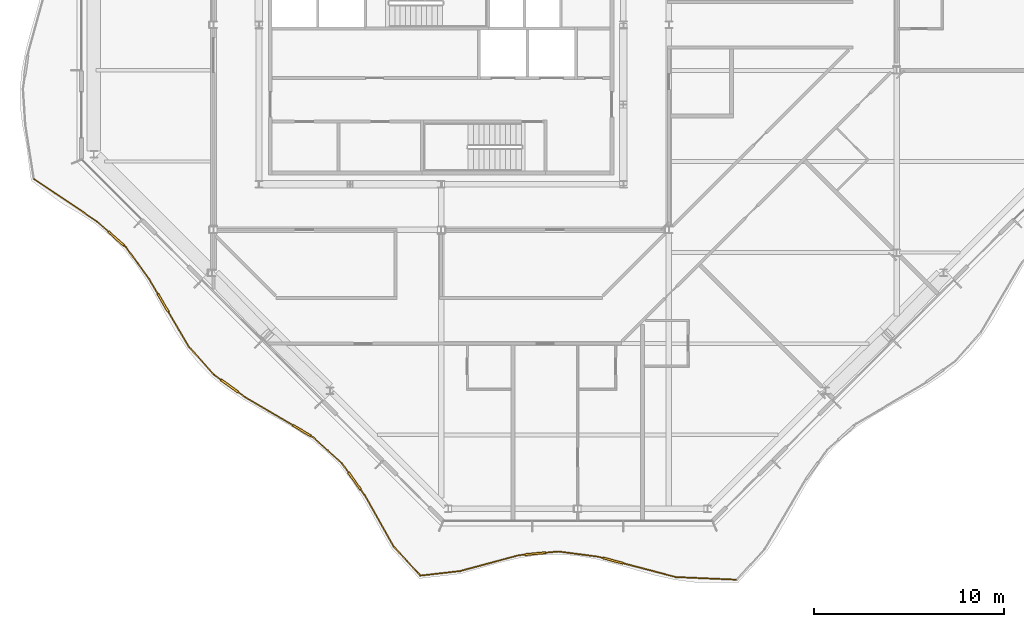
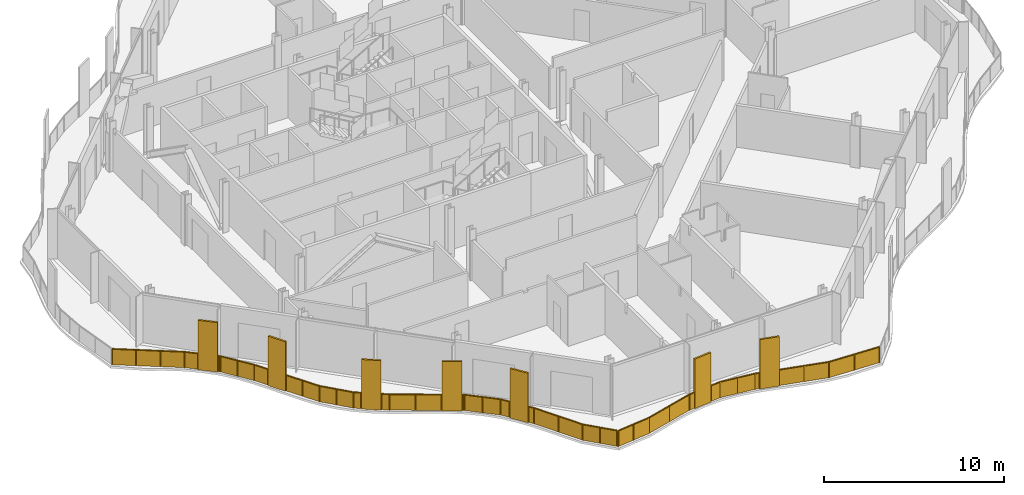
# One storey, part 13 of 17: 2 railings.
"""IFC4 building model written with IfcOpenShell, lengths in metres."""

import ifcopenshell
import ifcopenshell.guid

model = None  # the IFC model being written
_history = None  # IfcOwnerHistory: only IFC2X3 demands one
_inside = {}  # id of a spatial element -> (the spatial element, [elements in it])
_under = {}  # id of a project, library or spatial element -> (it, [spatial elements below it])
_declared = {}  # id of a project -> (the project, [libraries it declares])
_typed = {}  # id of a type object -> (the type object, [elements of that type])
_made_of = {}  # id of a material, layer set ... -> (it, [elements and type objects made of it])


def new_model(schema):
    """Start an empty IFC model of exactly this schema.

    Asked for "IFC4X3", IfcOpenShell would pick the latest addendum, in which some entities
    have other attributes; the version numbers below select the first issue.
    IFC2X3 requires an IfcOwnerHistory on every rooted entity: one is made here for all.
    """
    global model, _history
    if schema == "IFC4X3":
        model = ifcopenshell.file(schema_version=(4, 3, 0, 0))
    else:
        model = ifcopenshell.file(schema=schema)
    _inside.clear()
    _under.clear()
    _declared.clear()
    _typed.clear()
    _made_of.clear()
    _history = None
    if model.schema == "IFC2X3":
        org = make("IfcOrganization", Name="unknown")
        user = make(
            "IfcPersonAndOrganization",
            ThePerson=make("IfcPerson", FamilyName="unknown"),
            TheOrganization=org,
        )
        app = make(
            "IfcApplication",
            ApplicationDeveloper=org,
            Version="unknown",
            ApplicationFullName="unknown",
            ApplicationIdentifier="unknown",
        )
        _history = make(
            "IfcOwnerHistory",
            OwningUser=user,
            OwningApplication=app,
            ChangeAction="ADDED",
            CreationDate=0,
        )
    return model


def make(cls, **values):
    """One entity of the class cls with the attributes given. An attribute that is None is left unset."""
    return model.create_entity(
        cls, **{name: value for name, value in values.items() if value is not None}
    )


def rooted(cls, **values):
    """An entity with a GlobalId (a new one), such as an element, a storey or a relation."""
    return make(cls, GlobalId=ifcopenshell.guid.new(), OwnerHistory=_history, **values)


def si_unit(unit_type, name, prefix=None):
    """IfcSIUnit, for example si_unit("LENGTHUNIT", "METRE", prefix="MILLI")."""
    return make("IfcSIUnit", UnitType=unit_type, Prefix=prefix, Name=name)


def assignment(units):
    """IfcUnitAssignment: the units of a project."""
    return None if units is None else make("IfcUnitAssignment", Units=units)


def point(xyz):
    """IfcCartesianPoint."""
    return None if xyz is None else make("IfcCartesianPoint", Coordinates=xyz)


def direction(xyz):
    """IfcDirection."""
    return None if xyz is None else make("IfcDirection", DirectionRatios=xyz)


def frame(location, z_axis=None, x_axis=None):
    """IfcAxis2Placement3D, a coordinate frame: its origin and axes. An axis left out is left unset."""
    return make(
        "IfcAxis2Placement3D",
        Location=point(location),
        Axis=direction(z_axis),
        RefDirection=direction(x_axis),
    )


def frame_2d(location, x_axis=None):
    """IfcAxis2Placement2D, a coordinate frame in the plane: its origin and x axis."""
    return make(
        "IfcAxis2Placement2D", Location=point(location), RefDirection=direction(x_axis)
    )


def origin():
    """The frame at (0, 0, 0) with its axes left unset."""
    return frame((0.0, 0.0, 0.0))


def origin_2d():
    """The frame at (0, 0) in the plane with its x axis left unset."""
    return frame_2d((0.0, 0.0))


def place(relative_to, where):
    """IfcLocalPlacement: puts the frame where relative to a parent placement (None: the world)."""
    return make(
        "IfcLocalPlacement", PlacementRelTo=relative_to, RelativePlacement=where
    )


def context(
    kind, dimensions, precision=None, world=None, true_north=None, identifier=None
):
    """IfcGeometricRepresentationContext, for example the 3D "Model" context."""
    return make(
        "IfcGeometricRepresentationContext",
        ContextIdentifier=identifier,
        ContextType=kind,
        CoordinateSpaceDimension=dimensions,
        Precision=precision,
        WorldCoordinateSystem=world,
        TrueNorth=true_north,
    )


def subcontext(parent, identifier, kind, view, scale=None):
    """IfcGeometricRepresentationSubContext, for example "Body" below "Model"."""
    return make(
        "IfcGeometricRepresentationSubContext",
        ContextIdentifier=identifier,
        ContextType=kind,
        ParentContext=parent,
        TargetScale=scale,
        TargetView=view,
    )


def project(units=None, contexts=None):
    """IfcProject with its units and contexts."""
    return rooted(
        "IfcProject",
        Name="project",
        RepresentationContexts=contexts,
        UnitsInContext=assignment(units),
    )


def spatial(cls, under=None, at=None, **own):
    """A site, building, storey or space (cls), placed at a placement, below another one or the project."""
    s = rooted(cls, ObjectPlacement=at, **own)
    if under is not None:
        _under.setdefault(under.id(), (under, []))[1].append(s)
    return s


def polyline(points):
    """IfcPolyline through the points."""
    return make("IfcPolyline", Points=[point(p) for p in points])


def profile(cls, at=None, kind="AREA", **sizes):
    """A parametric profile (cls). Its sizes go by their IFC names, for example OverallWidth=200.0."""
    return make(cls, ProfileType=kind, Position=at, **sizes)


def rectangle(**sizes):
    """IfcRectangleProfileDef."""
    return profile("IfcRectangleProfileDef", **sizes)


def outline(outer, holes=None, kind="AREA"):
    """IfcArbitraryClosedProfileDef: a profile drawn as a closed curve; with holes, ...WithVoids."""
    if holes is None:
        return make("IfcArbitraryClosedProfileDef", ProfileType=kind, OuterCurve=outer)
    return make(
        "IfcArbitraryProfileDefWithVoids",
        ProfileType=kind,
        OuterCurve=outer,
        InnerCurves=holes,
    )


def extrude(swept, where, along, depth):
    """IfcExtrudedAreaSolid: the profile swept, set in the frame where, extruded along a direction by depth."""
    return make(
        "IfcExtrudedAreaSolid",
        SweptArea=swept,
        Position=where,
        ExtrudedDirection=direction(along),
        Depth=depth,
    )


def shape(context_of_items, identifier, shape_type, items):
    """IfcShapeRepresentation: the items that make up one representation, for example the "Body"."""
    return make(
        "IfcShapeRepresentation",
        ContextOfItems=context_of_items,
        RepresentationIdentifier=identifier,
        RepresentationType=shape_type,
        Items=items,
    )


def material(Name=None, Category=None):
    """IfcMaterial."""
    return make("IfcMaterial", Name=Name, Category=Category)


def made_of(thing, what):
    """Note that an element or type object is made of a material, layer set ...; save() writes the relation."""
    if what is not None:
        _made_of.setdefault(what.id(), (what, []))[1].append(thing)
    return thing


def type_object(cls, material=None, **own):
    """A type object (cls), such as IfcWallType, which elements share."""
    return made_of(rooted(cls, **own), material)


def element(
    cls,
    number,
    at=None,
    inside=None,
    cuts=None,
    type_object=None,
    material=None,
    context=None,
    identifier="Body",
    shape_type=None,
    held_by="IfcProductDefinitionShape",
    body=None,
    shapes=None,
    **own,
):
    """One element of the class cls, such as IfcWall. Its Tag is "e" and its number.

    at: its placement. inside: the storey or other place that contains it. cuts: it is an
    opening in that element (IfcRelVoidsElement). A single representation is given by context,
    identifier, shape_type and body (its items); several are given by shapes. held_by: the class
    of the entity that holds the representations. save() writes the other relations.
    """
    e = rooted(cls, Tag="e%d" % number, ObjectPlacement=at, **own)
    if body is not None:
        shapes = [shape(context, identifier, shape_type, body)]
    if shapes is not None:
        e.Representation = make(held_by, Representations=shapes)
    if inside is not None:
        _inside.setdefault(inside.id(), (inside, []))[1].append(e)
    if cuts is not None:
        rooted(
            "IfcRelVoidsElement", RelatingBuildingElement=cuts, RelatedOpeningElement=e
        )
    if type_object is not None:
        _typed.setdefault(type_object.id(), (type_object, []))[1].append(e)
    return made_of(e, material)


def aggregate(whole, parts):
    """IfcRelAggregates: a whole, such as a stair, and the parts it consists of."""
    return rooted("IfcRelAggregates", RelatingObject=whole, RelatedObjects=parts)


def save(model, path):
    """Write the relations noted so far, then the file.

    IfcRelAggregates (storeys below a building ...), IfcRelContainedInSpatialStructure (elements
    in a storey), IfcRelDefinesByType, IfcRelAssociatesMaterial and IfcRelDeclares: one each for
    every whole, place, type object, material and project.
    """
    for whole, parts in _under.values():
        aggregate(whole, parts)
    for where, things in _inside.values():
        rooted(
            "IfcRelContainedInSpatialStructure",
            RelatedElements=things,
            RelatingStructure=where,
        )
    for kind, things in _typed.values():
        rooted("IfcRelDefinesByType", RelatedObjects=things, RelatingType=kind)
    for what, things in _made_of.values():
        rooted("IfcRelAssociatesMaterial", RelatedObjects=things, RelatingMaterial=what)
    for by, libraries in _declared.values():
        rooted("IfcRelDeclares", RelatingContext=by, RelatedDefinitions=libraries)
    model.write(path)


model = new_model("IFC4")

# Units and contexts
model_context = context("Model", 3, precision=1e-05, world=origin(), true_north=direction((0.0, 1.0)))
body_context = subcontext(model_context, "Body", "Model", "MODEL_VIEW")
ifc_project = project(units=[si_unit("LENGTHUNIT", "METRE"), si_unit("AREAUNIT", "SQUARE_METRE"), si_unit("VOLUMEUNIT", "CUBIC_METRE"), si_unit("PLANEANGLEUNIT", "RADIAN"), si_unit("MASSUNIT", "GRAM", prefix="KILO")], contexts=[model_context])

# Site, building, storey
site_placement = place(None, origin())
site = spatial("IfcSite", under=ifc_project, at=site_placement, CompositionType="ELEMENT")
building_placement = place(site_placement, origin())
building = spatial("IfcBuilding", under=site, at=building_placement, Name="Cairn Pilgrim Tower", CompositionType="ELEMENT")
storey_placement = place(building_placement, frame((0.0, 0.0, 292.199951171875)))
storey = spatial("IfcBuildingStorey", under=building, at=storey_placement, Name="L75", CompositionType="ELEMENT", Elevation=292.199951171875)

# Railings
ifc_material = material(Name="Bronze anodised aluminium rail, posts and fin screens with laminated glass infill", Category="aluminium")
railing_type = type_object("IfcRailingType", Name="BALCONY GUARD WITH FIN SCREENS", PredefinedType="GUARDRAIL", material=ifc_material)
railing_1_placement = place(storey_placement, frame((6.10693359375, -26.62255859375, 0.0)))
element("IfcRailing", 1, at=railing_1_placement, inside=storey, type_object=railing_type, Name="Balcony guard BGF-1 with fin screens", PredefinedType="GUARDRAIL", context=body_context, shape_type="SweptSolid", body=[
    extrude(rectangle(XDim=0.050048828125, YDim=0.050048828125, at=origin_2d()), frame((0.0, 0.0, 1.0751953125), z_axis=(0.993439347497, 0.114360232794, 0.0), x_axis=(-0.114360232794, 0.993439347497, 0.0)), (0.0, 0.0, 1.0), 2.107177734375),
    extrude(rectangle(XDim=0.050048828125, YDim=0.050048828125, at=origin_2d()), frame((2.09326171875, 0.240966796875, 1.0751953125), z_axis=(0.965456359027, 0.260564807319, 0.0), x_axis=(-0.260564807319, 0.965456359027, 0.0)), (0.0, 0.0, 1.0), 3.19775390625),
    extrude(rectangle(XDim=1.10009765625, YDim=0.110107421875, at=origin_2d()), frame((6.055419921875, 1.156982421875, 0.0), z_axis=(0.0, 0.0, 1.0), x_axis=(0.995549238658, 0.094242842742, 0.0)), (0.0, 0.0, 1.0), 3.35009765625),
    extrude(rectangle(XDim=0.050048828125, YDim=0.050048828125, at=origin_2d()), frame((5.1806640625, 1.07421875, 1.0751953125), z_axis=(0.995549238658, 0.094242842742, 0.0), x_axis=(-0.094242842742, 0.995549238658, 0.0)), (0.0, 0.0, 1.0), 0.32861328125),
    extrude(rectangle(XDim=0.050048828125, YDim=0.050048828125, at=origin_2d()), frame((6.60302734375, 1.208740234375, 1.0751953125), z_axis=(0.995549238658, 0.094242842742, 0.0), x_axis=(-0.094242842742, 0.995549238658, 0.0)), (0.0, 0.0, 1.0), 0.6669921875),
    extrude(rectangle(XDim=0.050048828125, YDim=0.050048828125, at=origin_2d()), frame((7.26708984375, 1.271728515625, 1.0751953125), z_axis=(0.991645065833, -0.12899636975, 0.0), x_axis=(0.12899636975, 0.991645065833, 0.0)), (0.0, 0.0, 1.0), 2.100830078125),
    extrude(rectangle(XDim=1.10009765625, YDim=0.110107421875, at=origin_2d()), frame((10.148193359375, 0.791748046875, 0.0), z_axis=(0.0, 0.0, 1.0), x_axis=(0.967387318555, -0.25330174871, 0.0)), (0.0, 0.0, 1.0), 3.35009765625),
    extrude(rectangle(XDim=0.050048828125, YDim=0.050048828125, at=origin_2d()), frame((9.350341796875, 1.000732421875, 1.0751953125), z_axis=(0.967387318555, -0.25330174871, 0.0), x_axis=(0.25330174871, 0.967387318555, 0.0)), (0.0, 0.0, 1.0), 0.27490234375),
    extrude(rectangle(XDim=0.050048828125, YDim=0.050048828125, at=origin_2d()), frame((10.68017578125, 0.652587890625, 1.0751953125), z_axis=(0.967387318555, -0.25330174871, 0.0), x_axis=(0.25330174871, 0.967387318555, 0.0)), (0.0, 0.0, 1.0), 2.871826171875),
    extrude(rectangle(XDim=0.050048828125, YDim=0.050048828125, at=origin_2d()), frame((13.45849609375, -0.074951171875, 1.0751953125), z_axis=(0.99904590361, -0.043672445329, 0.0), x_axis=(0.043672445329, 0.99904590361, 0.0)), (0.0, 0.0, 1.0), 3.15283203125),
    extrude(rectangle(XDim=0.050048828125, YDim=0.050048828125, at=origin_2d()), origin(), (0.0, 0.0, 1.0), 1.050048828125),
    extrude(rectangle(XDim=0.050048828125, YDim=0.050048828125, at=origin_2d()), frame((1.046630859375, 0.12060546875, 0.0)), (0.0, 0.0, 1.0), 1.050048828125),
    extrude(rectangle(XDim=0.050048828125, YDim=0.050048828125, at=origin_2d()), frame((2.09326171875, 0.240966796875, 0.0)), (0.0, 0.0, 1.0), 1.050048828125),
    extrude(rectangle(XDim=0.050048828125, YDim=0.050048828125, at=origin_2d()), frame((3.636962890625, 0.65771484375, 0.0)), (0.0, 0.0, 1.0), 1.050048828125),
    extrude(rectangle(XDim=0.050048828125, YDim=0.050048828125, at=origin_2d()), frame((5.1806640625, 1.07421875, 0.0)), (0.0, 0.0, 1.0), 1.050048828125),
    extrude(rectangle(XDim=0.050048828125, YDim=0.050048828125, at=origin_2d()), frame((5.48291015625, 1.102783203125, 0.0)), (0.0, 0.0, 1.0), 1.050048828125),
    extrude(rectangle(XDim=0.050048828125, YDim=0.050048828125, at=origin_2d()), frame((6.6279296875, 1.211181640625, 0.0)), (0.0, 0.0, 1.0), 1.050048828125),
    extrude(rectangle(XDim=0.050048828125, YDim=0.050048828125, at=origin_2d()), frame((7.26708984375, 1.271728515625, 0.0)), (0.0, 0.0, 1.0), 1.050048828125),
    extrude(rectangle(XDim=0.050048828125, YDim=0.050048828125, at=origin_2d()), frame((8.30859375, 1.13623046875, 0.0)), (0.0, 0.0, 1.0), 1.050048828125),
    extrude(rectangle(XDim=0.050048828125, YDim=0.050048828125, at=origin_2d()), frame((9.350341796875, 1.000732421875, 0.0)), (0.0, 0.0, 1.0), 1.050048828125),
    extrude(rectangle(XDim=0.050048828125, YDim=0.050048828125, at=origin_2d()), frame((9.592041015625, 0.9375, 0.0)), (0.0, 0.0, 1.0), 1.050048828125),
    extrude(rectangle(XDim=0.050048828125, YDim=0.050048828125, at=origin_2d()), frame((10.70458984375, 0.646240234375, 0.0)), (0.0, 0.0, 1.0), 1.050048828125),
    extrude(rectangle(XDim=0.050048828125, YDim=0.050048828125, at=origin_2d()), frame((12.08154296875, 0.28564453125, 0.0)), (0.0, 0.0, 1.0), 1.050048828125),
    extrude(rectangle(XDim=0.050048828125, YDim=0.050048828125, at=origin_2d()), frame((13.45849609375, -0.074951171875, 0.0)), (0.0, 0.0, 1.0), 1.050048828125),
    extrude(rectangle(XDim=0.050048828125, YDim=0.050048828125, at=origin_2d()), frame((15.033447265625, -0.143798828125, 0.0)), (0.0, 0.0, 1.0), 1.050048828125),
    extrude(rectangle(XDim=0.050048828125, YDim=0.050048828125, at=origin_2d()), frame((16.6083984375, -0.212646484375, 0.0)), (0.0, 0.0, 1.0), 1.050048828125),
    extrude(outline(polyline([(0.02490234375, 0.0), (1.028564453125, 0.0), (1.028564453125, 1.050048828125), (0.02490234375, 1.050048828125), (0.02490234375, 0.0)])), frame((-0.000732421875, 0.005859375, 0.0), z_axis=(0.114360232794, -0.993439347497, 0.0), x_axis=(0.993439347497, 0.114360232794, 0.0)), (0.0, 0.0, 1.0), 0.011962890625),
    extrude(outline(polyline([(0.02490234375, 0.0), (1.028564453125, 0.0), (1.028564453125, 1.050048828125), (0.02490234375, 1.050048828125), (0.02490234375, 0.0)])), frame((1.0458984375, 0.12646484375, 0.0), z_axis=(0.114360232794, -0.993439347497, 0.0), x_axis=(0.993439347497, 0.114360232794, 0.0)), (0.0, 0.0, 1.0), 0.011962890625),
    extrude(outline(polyline([(0.02490234375, 0.0), (1.573974609375, 0.0), (1.573974609375, 1.050048828125), (0.02490234375, 1.050048828125), (0.02490234375, 0.0)])), frame((2.091796875, 0.246826171875, 0.0), z_axis=(0.260564807319, -0.965456359027, 0.0), x_axis=(0.965456359027, 0.260564807319, 0.0)), (0.0, 0.0, 1.0), 0.011962890625),
    extrude(outline(polyline([(0.02490234375, 0.0), (1.573974609375, 0.0), (1.573974609375, 1.050048828125), (0.02490234375, 1.050048828125), (0.02490234375, 0.0)])), frame((3.635498046875, 0.663330078125, 0.0), z_axis=(0.260564807319, -0.965456359027, 0.0), x_axis=(0.965456359027, 0.260564807319, 0.0)), (0.0, 0.0, 1.0), 0.011962890625),
    extrude(outline(polyline([(0.02490234375, 0.0), (0.278564453125, 0.0), (0.278564453125, 1.050048828125), (0.02490234375, 1.050048828125), (0.02490234375, 0.0)])), frame((5.18017578125, 1.080078125, 0.0), z_axis=(0.094242842742, -0.995549238658, 0.0), x_axis=(0.995549238658, 0.094242842742, 0.0)), (0.0, 0.0, 1.0), 0.011962890625),
    extrude(outline(polyline([(0.02490234375, 0.0), (0.616943359375, 0.0), (0.616943359375, 1.050048828125), (0.02490234375, 1.050048828125), (0.02490234375, 0.0)])), frame((6.627197265625, 1.21728515625, 0.0), z_axis=(0.094242842742, -0.995549238658, 0.0), x_axis=(0.995549238658, 0.094242842742, 0.0)), (0.0, 0.0, 1.0), 0.011962890625),
    extrude(outline(polyline([(0.02490234375, 0.0), (1.025390625, 0.0), (1.025390625, 1.050048828125), (0.02490234375, 1.050048828125), (0.02490234375, 0.0)])), frame((7.267822265625, 1.277587890625, 0.0), z_axis=(-0.12899636975, -0.991645065833, 0.0), x_axis=(0.991645065833, -0.12899636975, 0.0)), (0.0, 0.0, 1.0), 0.011962890625),
    extrude(outline(polyline([(0.02490234375, 0.0), (1.025390625, 0.0), (1.025390625, 1.050048828125), (0.02490234375, 1.050048828125), (0.02490234375, 0.0)])), frame((8.3095703125, 1.14208984375, 0.0), z_axis=(-0.12899636975, -0.991645065833, 0.0), x_axis=(0.991645065833, -0.12899636975, 0.0)), (0.0, 0.0, 1.0), 0.011962890625),
    extrude(outline(polyline([(0.02490234375, 0.0), (0.224853515625, 0.0), (0.224853515625, 1.050048828125), (0.02490234375, 1.050048828125), (0.02490234375, 0.0)])), frame((9.351806640625, 1.006591796875, 0.0), z_axis=(-0.25330174871, -0.967387318555, 0.0), x_axis=(0.967387318555, -0.25330174871, 0.0)), (0.0, 0.0, 1.0), 0.011962890625),
    extrude(outline(polyline([(0.02490234375, 0.0), (1.3984375, 0.0), (1.3984375, 1.050048828125), (0.02490234375, 1.050048828125), (0.02490234375, 0.0)])), frame((10.7060546875, 0.65185546875, 0.0), z_axis=(-0.25330174871, -0.967387318555, 0.0), x_axis=(0.967387318555, -0.25330174871, 0.0)), (0.0, 0.0, 1.0), 0.011962890625),
    extrude(outline(polyline([(0.02490234375, 0.0), (1.3984375, 0.0), (1.3984375, 1.050048828125), (0.02490234375, 1.050048828125), (0.02490234375, 0.0)])), frame((12.0830078125, 0.29150390625, 0.0), z_axis=(-0.25330174871, -0.967387318555, 0.0), x_axis=(0.967387318555, -0.25330174871, 0.0)), (0.0, 0.0, 1.0), 0.011962890625),
    extrude(outline(polyline([(0.02490234375, 0.0), (1.551513671875, 0.0), (1.551513671875, 1.050048828125), (0.02490234375, 1.050048828125), (0.02490234375, 0.0)])), frame((13.458740234375, -0.069091796875, 0.0), z_axis=(-0.043672445329, -0.99904590361, 0.0), x_axis=(0.99904590361, -0.043672445329, 0.0)), (0.0, 0.0, 1.0), 0.011962890625),
    extrude(outline(polyline([(0.02490234375, 0.0), (1.551513671875, 0.0), (1.551513671875, 1.050048828125), (0.02490234375, 1.050048828125), (0.02490234375, 0.0)])), frame((15.03369140625, -0.137939453125, 0.0), z_axis=(-0.043672445329, -0.99904590361, 0.0), x_axis=(0.99904590361, -0.043672445329, 0.0)), (0.0, 0.0, 1.0), 0.011962890625),
])
railing_2_placement = place(storey_placement, frame((-14.270263671875, -5.709716796875, 0.0)))
element("IfcRailing", 2, at=railing_2_placement, inside=storey, type_object=railing_type, Name="Balcony guard BGF-8 with fin screens", PredefinedType="GUARDRAIL", context=body_context, shape_type="SweptSolid", body=[
    extrude(rectangle(XDim=0.050048828125, YDim=0.050048828125, at=origin_2d()), frame((0.0, 0.0, 1.0751953125), z_axis=(0.828702009695, -0.559690074173, 0.0), x_axis=(0.559690074173, 0.828702009695, 0.0)), (0.0, 0.0, 1.0), 4.033935546875),
    extrude(rectangle(XDim=1.10009765625, YDim=0.110107421875, at=origin_2d()), frame((4.344482421875, -3.1494140625, 0.0), z_axis=(0.0, 0.0, 1.0), x_axis=(0.746887723984, -0.664950169383, 0.0)), (0.0, 0.0, 1.0), 3.35009765625),
    extrude(rectangle(XDim=0.050048828125, YDim=0.050048828125, at=origin_2d()), frame((3.343017578125, -2.2578125, 1.0751953125), z_axis=(0.746887723984, -0.664950169383, 0.0), x_axis=(0.664950169383, 0.746887723984, 0.0)), (0.0, 0.0, 1.0), 0.790771484375),
    extrude(rectangle(XDim=0.050048828125, YDim=0.050048828125, at=origin_2d()), frame((4.75537109375, -3.51513671875, 1.0751953125), z_axis=(0.746887723984, -0.664950169383, 0.0), x_axis=(0.664950169383, 0.746887723984, 0.0)), (0.0, 0.0, 1.0), 0.150146484375),
    extrude(rectangle(XDim=0.050048828125, YDim=0.050048828125, at=origin_2d()), frame((4.867431640625, -3.614990234375, 1.0751953125), z_axis=(0.587487933751, -0.80923292549, 0.0), x_axis=(0.80923292549, 0.587487933751, 0.0)), (0.0, 0.0, 1.0), 2.06005859375),
    extrude(rectangle(XDim=1.10009765625, YDim=0.110107421875, at=origin_2d()), frame((6.819580078125, -6.5439453125, 0.0), z_axis=(0.0, 0.0, 1.0), x_axis=(0.506762886217, -0.862085481349, 0.0)), (0.0, 0.0, 1.0), 3.35009765625),
    extrude(rectangle(XDim=0.050048828125, YDim=0.050048828125, at=origin_2d()), frame((6.07763671875, -5.281982421875, 1.0751953125), z_axis=(0.506762886217, -0.862085481349, 0.0), x_axis=(0.862085481349, 0.506762886217, 0.0)), (0.0, 0.0, 1.0), 0.9140625),
    extrude(rectangle(XDim=0.050048828125, YDim=0.050048828125, at=origin_2d()), frame((7.09814453125, -7.018310546875, 1.0751953125), z_axis=(0.506762886217, -0.862085481349, 0.0), x_axis=(0.862085481349, 0.506762886217, 0.0)), (0.0, 0.0, 1.0), 2.134033203125),
    extrude(rectangle(XDim=0.050048828125, YDim=0.050048828125, at=origin_2d()), frame((8.1796875, -8.85791015625, 1.0751953125), z_axis=(0.668685785137, -0.743545103377, 0.0), x_axis=(0.743545103377, 0.668685785137, 0.0)), (0.0, 0.0, 1.0), 1.98291015625),
    extrude(rectangle(XDim=1.10009765625, YDim=0.110107421875, at=origin_2d()), frame((10.3173828125, -10.91650390625, 0.0), z_axis=(0.0, 0.0, 1.0), x_axis=(0.811623967521, -0.584180225055, 0.0)), (0.0, 0.0, 1.0), 3.35009765625),
    extrude(rectangle(XDim=0.050048828125, YDim=0.050048828125, at=origin_2d()), frame((9.505615234375, -10.332275390625, 1.0751953125), z_axis=(0.811623967521, -0.584180225055, 0.0), x_axis=(0.584180225055, 0.811623967521, 0.0)), (0.0, 0.0, 1.0), 0.4501953125),
    extrude(rectangle(XDim=0.050048828125, YDim=0.050048828125, at=origin_2d()), frame((10.763671875, -11.23779296875, 1.0751953125), z_axis=(0.811623967521, -0.584180225055, 0.0), x_axis=(0.584180225055, 0.811623967521, 0.0)), (0.0, 0.0, 1.0), 0.464599609375),
    extrude(rectangle(XDim=1.10009765625, YDim=0.110107421875, at=origin_2d()), frame((14.125, -13.26708984375, 0.0), z_axis=(0.0, 0.0, 1.0), x_axis=(0.861614478951, -0.507563286362, 0.0)), (0.0, 0.0, 1.0), 3.35009765625),
    extrude(rectangle(XDim=0.050048828125, YDim=0.050048828125, at=origin_2d()), frame((11.140869140625, -11.50927734375, 1.0751953125), z_axis=(0.861614478951, -0.507563286362, 0.0), x_axis=(0.507563286362, 0.861614478951, 0.0)), (0.0, 0.0, 1.0), 2.913330078125),
    extrude(rectangle(XDim=0.050048828125, YDim=0.050048828125, at=origin_2d()), frame((14.598876953125, -13.54638671875, 1.0751953125), z_axis=(0.861614478951, -0.507563286362, 0.0), x_axis=(0.507563286362, 0.861614478951, 0.0)), (0.0, 0.0, 1.0), 0.150146484375),
    extrude(rectangle(XDim=0.050048828125, YDim=0.050048828125, at=origin_2d()), frame((14.728271484375, -13.62255859375, 1.0751953125), z_axis=(0.74025328877, -0.672328095847, 0.0), x_axis=(0.672328095847, 0.74025328877, 0.0)), (0.0, 0.0, 1.0), 2.045166015625),
    extrude(rectangle(XDim=1.10009765625, YDim=0.110107421875, at=origin_2d()), frame((16.90673828125, -15.9287109375, 0.0), z_axis=(0.0, 0.0, 1.0), x_axis=(0.580879950547, -0.813989240133, 0.0)), (0.0, 0.0, 1.0), 3.35009765625),
    extrude(rectangle(XDim=0.050048828125, YDim=0.050048828125, at=origin_2d()), frame((16.2421875, -14.99755859375, 1.0751953125), z_axis=(0.580879950547, -0.813989240133, 0.0), x_axis=(0.813989240133, 0.580879950547, 0.0)), (0.0, 0.0, 1.0), 0.593994140625),
    extrude(rectangle(XDim=0.050048828125, YDim=0.050048828125, at=origin_2d()), frame((17.226318359375, -16.37646484375, 1.0751953125), z_axis=(0.580879950547, -0.813989240133, 0.0), x_axis=(0.813989240133, 0.580879950547, 0.0)), (0.0, 0.0, 1.0), 0.369140625),
    extrude(rectangle(XDim=0.050048828125, YDim=0.050048828125, at=origin_2d()), frame((17.440673828125, -16.677001953125, 1.0751953125), z_axis=(0.492335562559, -0.870405476683, 0.0), x_axis=(0.870405476683, 0.492335562559, 0.0)), (0.0, 0.0, 1.0), 3.12158203125),
    extrude(rectangle(XDim=0.050048828125, YDim=0.050048828125, at=origin_2d()), frame((18.9775390625, -19.39404296875, 1.0751953125), z_axis=(0.67772877412, -0.735311980543, 0.0), x_axis=(0.735311980543, 0.67772877412, 0.0)), (0.0, 0.0, 1.0), 2.00537109375),
    extrude(rectangle(XDim=0.050048828125, YDim=0.050048828125, at=origin_2d()), origin(), (0.0, 0.0, 1.0), 1.050048828125),
    extrude(rectangle(XDim=0.050048828125, YDim=0.050048828125, at=origin_2d()), frame((1.1142578125, -0.752685546875, 0.0)), (0.0, 0.0, 1.0), 1.050048828125),
    extrude(rectangle(XDim=0.050048828125, YDim=0.050048828125, at=origin_2d()), frame((2.228759765625, -1.505126953125, 0.0)), (0.0, 0.0, 1.0), 1.050048828125),
    extrude(rectangle(XDim=0.050048828125, YDim=0.050048828125, at=origin_2d()), frame((3.343017578125, -2.2578125, 0.0)), (0.0, 0.0, 1.0), 1.050048828125),
    extrude(rectangle(XDim=0.050048828125, YDim=0.050048828125, at=origin_2d()), frame((3.9150390625, -2.76708984375, 0.0)), (0.0, 0.0, 1.0), 1.050048828125),
    extrude(rectangle(XDim=0.050048828125, YDim=0.050048828125, at=origin_2d()), frame((4.77392578125, -3.53173828125, 0.0)), (0.0, 0.0, 1.0), 1.050048828125),
    extrude(rectangle(XDim=0.050048828125, YDim=0.050048828125, at=origin_2d()), frame((4.867431640625, -3.614990234375, 0.0)), (0.0, 0.0, 1.0), 1.050048828125),
    extrude(rectangle(XDim=0.050048828125, YDim=0.050048828125, at=origin_2d()), frame((5.47265625, -4.448486328125, 0.0)), (0.0, 0.0, 1.0), 1.050048828125),
    extrude(rectangle(XDim=0.050048828125, YDim=0.050048828125, at=origin_2d()), frame((6.07763671875, -5.281982421875, 0.0)), (0.0, 0.0, 1.0), 1.050048828125),
    extrude(rectangle(XDim=0.050048828125, YDim=0.050048828125, at=origin_2d()), frame((6.528076171875, -6.04833984375, 0.0)), (0.0, 0.0, 1.0), 1.050048828125),
    extrude(rectangle(XDim=0.050048828125, YDim=0.050048828125, at=origin_2d()), frame((7.11083984375, -7.039794921875, 0.0)), (0.0, 0.0, 1.0), 1.050048828125),
    extrude(rectangle(XDim=0.050048828125, YDim=0.050048828125, at=origin_2d()), frame((7.645263671875, -7.94873046875, 0.0)), (0.0, 0.0, 1.0), 1.050048828125),
    extrude(rectangle(XDim=0.050048828125, YDim=0.050048828125, at=origin_2d()), frame((8.1796875, -8.85791015625, 0.0)), (0.0, 0.0, 1.0), 1.050048828125),
    extrude(rectangle(XDim=0.050048828125, YDim=0.050048828125, at=origin_2d()), frame((8.8427734375, -9.59521484375, 0.0)), (0.0, 0.0, 1.0), 1.050048828125),
    extrude(rectangle(XDim=0.050048828125, YDim=0.050048828125, at=origin_2d()), frame((9.505615234375, -10.332275390625, 0.0)), (0.0, 0.0, 1.0), 1.050048828125),
    extrude(rectangle(XDim=0.050048828125, YDim=0.050048828125, at=origin_2d()), frame((9.8505859375, -10.58056640625, 0.0)), (0.0, 0.0, 1.0), 1.050048828125),
    extrude(rectangle(XDim=0.050048828125, YDim=0.050048828125, at=origin_2d()), frame((10.783935546875, -11.25244140625, 0.0)), (0.0, 0.0, 1.0), 1.050048828125),
    extrude(rectangle(XDim=0.050048828125, YDim=0.050048828125, at=origin_2d()), frame((11.140869140625, -11.50927734375, 0.0)), (0.0, 0.0, 1.0), 1.050048828125),
    extrude(rectangle(XDim=0.050048828125, YDim=0.050048828125, at=origin_2d()), frame((12.38525390625, -12.2421875, 0.0)), (0.0, 0.0, 1.0), 1.050048828125),
    extrude(rectangle(XDim=0.050048828125, YDim=0.050048828125, at=origin_2d()), frame((13.629638671875, -12.975341796875, 0.0)), (0.0, 0.0, 1.0), 1.050048828125),
    extrude(rectangle(XDim=0.050048828125, YDim=0.050048828125, at=origin_2d()), frame((14.620361328125, -13.55908203125, 0.0)), (0.0, 0.0, 1.0), 1.050048828125),
    extrude(rectangle(XDim=0.050048828125, YDim=0.050048828125, at=origin_2d()), frame((14.728271484375, -13.62255859375, 0.0)), (0.0, 0.0, 1.0), 1.050048828125),
    extrude(rectangle(XDim=0.050048828125, YDim=0.050048828125, at=origin_2d()), frame((15.4853515625, -14.31005859375, 0.0)), (0.0, 0.0, 1.0), 1.050048828125),
    extrude(rectangle(XDim=0.050048828125, YDim=0.050048828125, at=origin_2d()), frame((16.2421875, -14.99755859375, 0.0)), (0.0, 0.0, 1.0), 1.050048828125),
    extrude(rectangle(XDim=0.050048828125, YDim=0.050048828125, at=origin_2d()), frame((16.57275390625, -15.460693359375, 0.0)), (0.0, 0.0, 1.0), 1.050048828125),
    extrude(rectangle(XDim=0.050048828125, YDim=0.050048828125, at=origin_2d()), frame((17.24072265625, -16.39697265625, 0.0)), (0.0, 0.0, 1.0), 1.050048828125),
    extrude(rectangle(XDim=0.050048828125, YDim=0.050048828125, at=origin_2d()), frame((17.440673828125, -16.677001953125, 0.0)), (0.0, 0.0, 1.0), 1.050048828125),
    extrude(rectangle(XDim=0.050048828125, YDim=0.050048828125, at=origin_2d()), frame((18.208984375, -18.03564453125, 0.0)), (0.0, 0.0, 1.0), 1.050048828125),
    extrude(rectangle(XDim=0.050048828125, YDim=0.050048828125, at=origin_2d()), frame((18.9775390625, -19.39404296875, 0.0)), (0.0, 0.0, 1.0), 1.050048828125),
    extrude(rectangle(XDim=0.050048828125, YDim=0.050048828125, at=origin_2d()), frame((19.6572265625, -20.13134765625, 0.0)), (0.0, 0.0, 1.0), 1.050048828125),
    extrude(rectangle(XDim=0.050048828125, YDim=0.050048828125, at=origin_2d()), frame((20.336669921875, -20.86865234375, 0.0)), (0.0, 0.0, 1.0), 1.050048828125),
    extrude(outline(polyline([(0.02490234375, 0.0), (1.319580078125, 0.0), (1.319580078125, 1.050048828125), (0.02490234375, 1.050048828125), (0.02490234375, 0.0)])), frame((0.00341796875, 0.0048828125, 0.0), z_axis=(-0.559690074173, -0.828702009695, 0.0), x_axis=(0.828702009695, -0.559690074173, 0.0)), (0.0, 0.0, 1.0), 0.011962890625),
    extrude(outline(polyline([(0.02490234375, 0.0), (1.319580078125, 0.0), (1.319580078125, 1.050048828125), (0.02490234375, 1.050048828125), (0.02490234375, 0.0)])), frame((1.11767578125, -0.74755859375, 0.0), z_axis=(-0.559690074173, -0.828702009695, 0.0), x_axis=(0.828702009695, -0.559690074173, 0.0)), (0.0, 0.0, 1.0), 0.011962890625),
    extrude(outline(polyline([(0.02490234375, 0.0), (1.319580078125, 0.0), (1.319580078125, 1.050048828125), (0.02490234375, 1.050048828125), (0.02490234375, 0.0)])), frame((2.23193359375, -1.500244140625, 0.0), z_axis=(-0.559690074173, -0.828702009695, 0.0), x_axis=(0.828702009695, -0.559690074173, 0.0)), (0.0, 0.0, 1.0), 0.011962890625),
    extrude(outline(polyline([(0.02490234375, 0.0), (0.74072265625, 0.0), (0.74072265625, 1.050048828125), (0.02490234375, 1.050048828125), (0.02490234375, 0.0)])), frame((3.346923828125, -2.25341796875, 0.0), z_axis=(-0.664950169383, -0.746887723984, 0.0), x_axis=(0.746887723984, -0.664950169383, 0.0)), (0.0, 0.0, 1.0), 0.011962890625),
    extrude(outline(polyline([(0.02490234375, 0.0), (0.10009765625, 0.0), (0.10009765625, 1.050048828125), (0.02490234375, 1.050048828125), (0.02490234375, 0.0)])), frame((4.77783203125, -3.52734375, 0.0), z_axis=(-0.664950169383, -0.746887723984, 0.0), x_axis=(0.746887723984, -0.664950169383, 0.0)), (0.0, 0.0, 1.0), 0.011962890625),
    extrude(outline(polyline([(0.02490234375, 0.0), (1.0048828125, 0.0), (1.0048828125, 1.050048828125), (0.02490234375, 1.050048828125), (0.02490234375, 0.0)])), frame((4.872314453125, -3.611572265625, 0.0), z_axis=(-0.80923292549, -0.587487933751, 0.0), x_axis=(0.587487933751, -0.80923292549, 0.0)), (0.0, 0.0, 1.0), 0.011962890625),
    extrude(outline(polyline([(0.02490234375, 0.0), (1.0048828125, 0.0), (1.0048828125, 1.050048828125), (0.02490234375, 1.050048828125), (0.02490234375, 0.0)])), frame((5.477294921875, -4.445068359375, 0.0), z_axis=(-0.80923292549, -0.587487933751, 0.0), x_axis=(0.587487933751, -0.80923292549, 0.0)), (0.0, 0.0, 1.0), 0.011962890625),
    extrude(outline(polyline([(0.02490234375, 0.0), (0.864013671875, 0.0), (0.864013671875, 1.050048828125), (0.02490234375, 1.050048828125), (0.02490234375, 0.0)])), frame((6.082763671875, -5.279052734375, 0.0), z_axis=(-0.862085481349, -0.506762886217, 0.0), x_axis=(0.506762886217, -0.862085481349, 0.0)), (0.0, 0.0, 1.0), 0.011962890625),
    extrude(outline(polyline([(0.02490234375, 0.0), (1.029541015625, 0.0), (1.029541015625, 1.050048828125), (0.02490234375, 1.050048828125), (0.02490234375, 0.0)])), frame((7.115966796875, -7.03662109375, 0.0), z_axis=(-0.862085481349, -0.506762886217, 0.0), x_axis=(0.506762886217, -0.862085481349, 0.0)), (0.0, 0.0, 1.0), 0.011962890625),
    extrude(outline(polyline([(0.02490234375, 0.0), (1.029541015625, 0.0), (1.029541015625, 1.050048828125), (0.02490234375, 1.050048828125), (0.02490234375, 0.0)])), frame((7.650390625, -7.94580078125, 0.0), z_axis=(-0.862085481349, -0.506762886217, 0.0), x_axis=(0.506762886217, -0.862085481349, 0.0)), (0.0, 0.0, 1.0), 0.011962890625),
    extrude(outline(polyline([(0.02490234375, 0.0), (0.96630859375, 0.0), (0.96630859375, 1.050048828125), (0.02490234375, 1.050048828125), (0.02490234375, 0.0)])), frame((8.18408203125, -8.85400390625, 0.0), z_axis=(-0.743545103377, -0.668685785137, 0.0), x_axis=(0.668685785137, -0.743545103377, 0.0)), (0.0, 0.0, 1.0), 0.011962890625),
    extrude(outline(polyline([(0.02490234375, 0.0), (0.96630859375, 0.0), (0.96630859375, 1.050048828125), (0.02490234375, 1.050048828125), (0.02490234375, 0.0)])), frame((8.84716796875, -9.591064453125, 0.0), z_axis=(-0.743545103377, -0.668685785137, 0.0), x_axis=(0.668685785137, -0.743545103377, 0.0)), (0.0, 0.0, 1.0), 0.011962890625),
    extrude(outline(polyline([(0.02490234375, 0.0), (0.400146484375, 0.0), (0.400146484375, 1.050048828125), (0.02490234375, 1.050048828125), (0.02490234375, 0.0)])), frame((9.509033203125, -10.327392578125, 0.0), z_axis=(-0.584180225055, -0.811623967521, 0.0), x_axis=(0.811623967521, -0.584180225055, 0.0)), (0.0, 0.0, 1.0), 0.011962890625),
    extrude(outline(polyline([(0.02490234375, 0.0), (0.41455078125, 0.0), (0.41455078125, 1.050048828125), (0.02490234375, 1.050048828125), (0.02490234375, 0.0)])), frame((10.78759765625, -11.24755859375, 0.0), z_axis=(-0.584180225055, -0.811623967521, 0.0), x_axis=(0.811623967521, -0.584180225055, 0.0)), (0.0, 0.0, 1.0), 0.011962890625),
    extrude(outline(polyline([(0.02490234375, 0.0), (1.419189453125, 0.0), (1.419189453125, 1.050048828125), (0.02490234375, 1.050048828125), (0.02490234375, 0.0)])), frame((11.143798828125, -11.504150390625, 0.0), z_axis=(-0.507563286362, -0.861614478951, 0.0), x_axis=(0.861614478951, -0.507563286362, 0.0)), (0.0, 0.0, 1.0), 0.011962890625),
    extrude(outline(polyline([(0.02490234375, 0.0), (1.419189453125, 0.0), (1.419189453125, 1.050048828125), (0.02490234375, 1.050048828125), (0.02490234375, 0.0)])), frame((12.38818359375, -12.237060546875, 0.0), z_axis=(-0.507563286362, -0.861614478951, 0.0), x_axis=(0.861614478951, -0.507563286362, 0.0)), (0.0, 0.0, 1.0), 0.011962890625),
    extrude(outline(polyline([(0.02490234375, 0.0), (0.10009765625, 0.0), (0.10009765625, 1.050048828125), (0.02490234375, 1.050048828125), (0.02490234375, 0.0)])), frame((14.62353515625, -13.553955078125, 0.0), z_axis=(-0.507563286362, -0.861614478951, 0.0), x_axis=(0.861614478951, -0.507563286362, 0.0)), (0.0, 0.0, 1.0), 0.011962890625),
    extrude(outline(polyline([(0.02490234375, 0.0), (0.99755859375, 0.0), (0.99755859375, 1.050048828125), (0.02490234375, 1.050048828125), (0.02490234375, 0.0)])), frame((14.732177734375, -13.6181640625, 0.0), z_axis=(-0.672328095847, -0.74025328877, 0.0), x_axis=(0.74025328877, -0.672328095847, 0.0)), (0.0, 0.0, 1.0), 0.011962890625),
    extrude(outline(polyline([(0.02490234375, 0.0), (0.99755859375, 0.0), (0.99755859375, 1.050048828125), (0.02490234375, 1.050048828125), (0.02490234375, 0.0)])), frame((15.4892578125, -14.3056640625, 0.0), z_axis=(-0.672328095847, -0.74025328877, 0.0), x_axis=(0.74025328877, -0.672328095847, 0.0)), (0.0, 0.0, 1.0), 0.011962890625),
    extrude(outline(polyline([(0.02490234375, 0.0), (0.5439453125, 0.0), (0.5439453125, 1.050048828125), (0.02490234375, 1.050048828125), (0.02490234375, 0.0)])), frame((16.2470703125, -14.994140625, 0.0), z_axis=(-0.813989240133, -0.580879950547, 0.0), x_axis=(0.580879950547, -0.813989240133, 0.0)), (0.0, 0.0, 1.0), 0.011962890625),
    extrude(outline(polyline([(0.02490234375, 0.0), (0.319091796875, 0.0), (0.319091796875, 1.050048828125), (0.02490234375, 1.050048828125), (0.02490234375, 0.0)])), frame((17.24560546875, -16.393310546875, 0.0), z_axis=(-0.813989240133, -0.580879950547, 0.0), x_axis=(0.580879950547, -0.813989240133, 0.0)), (0.0, 0.0, 1.0), 0.011962890625),
    extrude(outline(polyline([(0.02490234375, 0.0), (1.53564453125, 0.0), (1.53564453125, 1.050048828125), (0.02490234375, 1.050048828125), (0.02490234375, 0.0)])), frame((17.44580078125, -16.674072265625, 0.0), z_axis=(-0.870405476683, -0.492335562559, 0.0), x_axis=(0.492335562559, -0.870405476683, 0.0)), (0.0, 0.0, 1.0), 0.011962890625),
    extrude(outline(polyline([(0.02490234375, 0.0), (1.53564453125, 0.0), (1.53564453125, 1.050048828125), (0.02490234375, 1.050048828125), (0.02490234375, 0.0)])), frame((18.21435546875, -18.032470703125, 0.0), z_axis=(-0.870405476683, -0.492335562559, 0.0), x_axis=(0.492335562559, -0.870405476683, 0.0)), (0.0, 0.0, 1.0), 0.011962890625),
    extrude(outline(polyline([(0.02490234375, 0.0), (0.977783203125, 0.0), (0.977783203125, 1.050048828125), (0.02490234375, 1.050048828125), (0.02490234375, 0.0)])), frame((18.98193359375, -19.389892578125, 0.0), z_axis=(-0.735311980543, -0.67772877412, 0.0), x_axis=(0.67772877412, -0.735311980543, 0.0)), (0.0, 0.0, 1.0), 0.011962890625),
    extrude(outline(polyline([(0.02490234375, 0.0), (0.977783203125, 0.0), (0.977783203125, 1.050048828125), (0.02490234375, 1.050048828125), (0.02490234375, 0.0)])), frame((19.66162109375, -20.127197265625, 0.0), z_axis=(-0.735311980543, -0.67772877412, 0.0), x_axis=(0.67772877412, -0.735311980543, 0.0)), (0.0, 0.0, 1.0), 0.011962890625),
])

save(model, "model.ifc")
